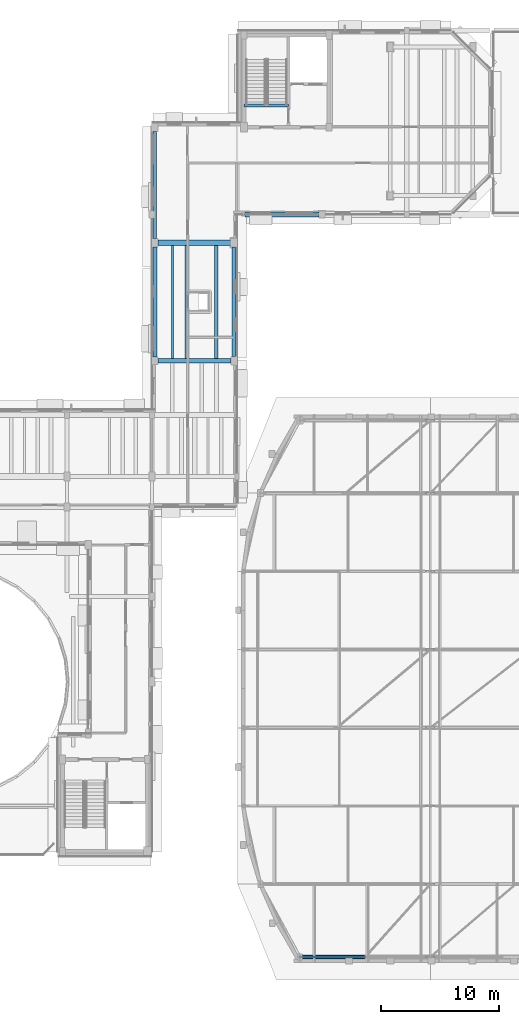
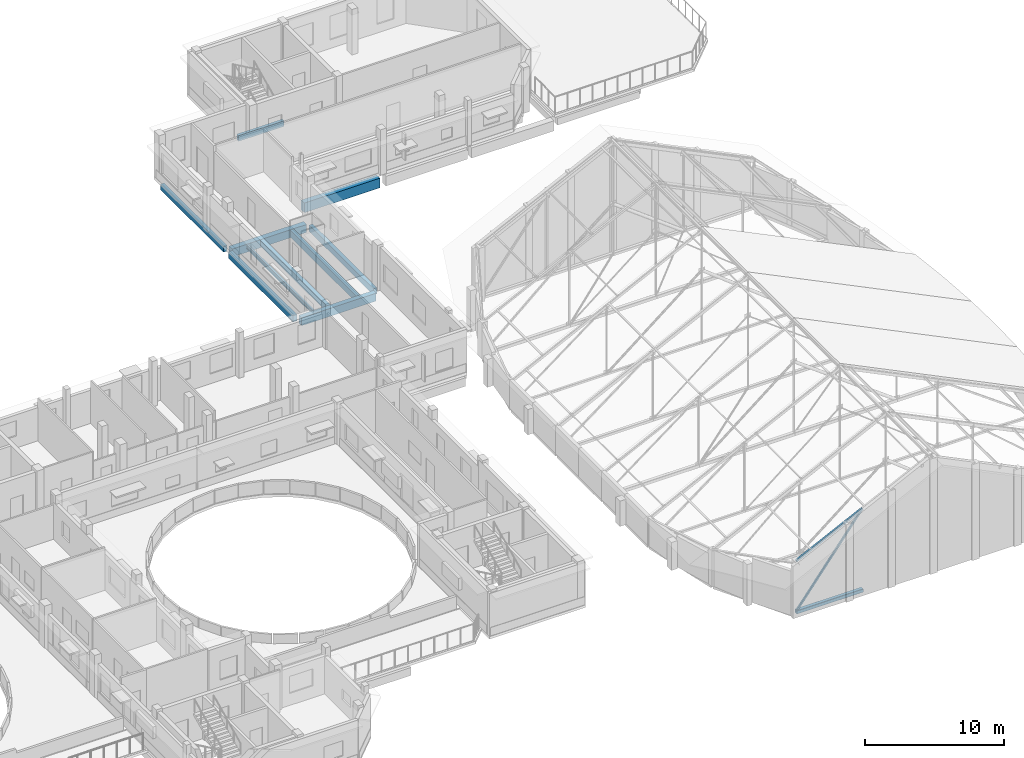
# One storey, part 27 of 78: 10 beams, 3 members.
"""IFC4 building model written with IfcOpenShell, lengths in metres."""

from ifc_helpers import new_model, si_unit, direction, frame, origin, origin_2d, place, context, subcontext, project, spatial, rectangle, hollow_rectangle, i_section, extrude, material, material_profile, profile_set, type_object, element, save


model = new_model("IFC4")

# Units and contexts
model_context = context("Model", 3, precision=1e-05, world=origin(), true_north=direction((0.0, 1.0)))
body_context = subcontext(model_context, "Body", "Model", "MODEL_VIEW")
ifc_project = project(units=[si_unit("LENGTHUNIT", "METRE"), si_unit("AREAUNIT", "SQUARE_METRE"), si_unit("VOLUMEUNIT", "CUBIC_METRE"), si_unit("PLANEANGLEUNIT", "RADIAN"), si_unit("MASSUNIT", "GRAM", prefix="KILO")], contexts=[model_context])

# Site, building, storey
site_placement = place(None, origin())
site = spatial("IfcSite", under=ifc_project, at=site_placement, CompositionType="ELEMENT")
building_placement = place(site_placement, origin())
building = spatial("IfcBuilding", under=site, at=building_placement, Name="Kelanivale Promenade Academy", CompositionType="ELEMENT")
storey_placement = place(building_placement, frame((0.0, 0.0, 16.199951171875)))
storey = spatial("IfcBuildingStorey", under=building, at=storey_placement, Name="L04", CompositionType="ELEMENT", Elevation=16.199951171875)

# Beams
ifc_material_1 = material(Name="Concrete C35/45", Category="concrete")
ifc_material_profile_1 = material_profile(ifc_material_1, rectangle(XDim=0.39990234375, YDim=0.699951171875, at=origin_2d()), Name="RC-BM 400x700")
ifc_profile_set_1 = profile_set([ifc_material_profile_1], Name="Concrete C35/45")
beam_type_1 = type_object("IfcBeamType", Name="BM-02 RC-BM 400x700", PredefinedType="BEAM", material=ifc_profile_set_1)
beam_1_placement = place(storey_placement, frame((116.094970703125, 84.0, -0.6298828125), z_axis=(1.0, 0.0, 0.0), x_axis=(0.0, 1.0, 0.0)))
element("IfcBeam", 1, at=beam_1_placement, inside=storey, type_object=beam_type_1, Name="L04 girder BM-02", PredefinedType="BEAM", context=body_context, shape_type="SweptSolid", body=[
    extrude(rectangle(XDim=0.39990234375, YDim=0.699951171875, at=origin_2d()), origin(), (0.0, 0.0, 1.0), 6.2099609375),
])
ifc_material_profile_2 = material_profile(ifc_material_1, rectangle(XDim=0.449951171875, YDim=0.699951171875, at=origin_2d()), Name="RC-BM 450x700")
ifc_profile_set_2 = profile_set([ifc_material_profile_2], Name="Concrete C35/45")
beam_type_2 = type_object("IfcBeamType", Name="BM-03 RC-BM 450x700", PredefinedType="BEAM", material=ifc_profile_set_2)
beam_2_placement = place(storey_placement, frame((116.094970703125, 94.0, -0.6298828125), z_axis=(1.0, 0.0, 0.0), x_axis=(0.0, 1.0, 0.0)))
element("IfcBeam", 2, at=beam_2_placement, inside=storey, type_object=beam_type_2, Name="L04 girder BM-03", PredefinedType="BEAM", context=body_context, shape_type="SweptSolid", body=[
    extrude(rectangle(XDim=0.449951171875, YDim=0.699951171875, at=origin_2d()), origin(), (0.0, 0.0, 1.0), 6.18505859375),
])
ifc_material_profile_3 = material_profile(ifc_material_1, rectangle(XDim=0.449951171875, YDim=0.85009765625, at=origin_2d()), Name="RC-BM 450x850")
ifc_profile_set_3 = profile_set([ifc_material_profile_3], Name="Concrete C35/45")
beam_type_3 = type_object("IfcBeamType", Name="BM-05 RC-BM 450x850", PredefinedType="BEAM", material=ifc_profile_set_3)
beam_3_placement = place(storey_placement, frame((123.471923828125, 96.39990234375, -0.704833984375), z_axis=(1.0, 0.0, 0.0), x_axis=(0.0, 1.0, 0.0)))
element("IfcBeam", 3, at=beam_3_placement, inside=storey, type_object=beam_type_3, Name="L04 girder BM-05", PredefinedType="BEAM", context=body_context, shape_type="SweptSolid", body=[
    extrude(rectangle(XDim=0.449951171875, YDim=0.85009765625, at=origin_2d()), origin(), (0.0, 0.0, 1.0), 6.282958984375),
])
ifc_material_profile_4 = material_profile(ifc_material_1, rectangle(XDim=0.300048828125, YDim=0.5, at=origin_2d()), Name="RC-BM 300x500")
ifc_profile_set_4 = profile_set([ifc_material_profile_4], Name="Concrete C35/45")
beam_type_4 = type_object("IfcBeamType", Name="JS-01 RC-BM 300x500", PredefinedType="JOIST", material=ifc_profile_set_4)
beam_4_placement = place(storey_placement, frame((115.85009765625, 94.3701171875, -0.530029296875), z_axis=(0.0, 1.0, 0.0), x_axis=(-1.0, 0.0, 0.0)))
element("IfcBeam", 4, at=beam_4_placement, inside=storey, type_object=beam_type_4, Name="L04 beam JS-01", PredefinedType="JOIST", context=body_context, shape_type="SweptSolid", body=[
    extrude(rectangle(XDim=0.300048828125, YDim=0.5, at=origin_2d()), origin(), (0.0, 0.0, 1.0), 9.059814453125),
])
ifc_material_profile_5 = material_profile(ifc_material_1, rectangle(XDim=0.300048828125, YDim=0.550048828125, at=origin_2d()), Name="RC-BM 300x550")
ifc_profile_set_5 = profile_set([ifc_material_profile_5], Name="Concrete C35/45")
beam_type_5 = type_object("IfcBeamType", Name="JS-02 RC-BM 300x550", PredefinedType="JOIST", material=ifc_profile_set_5)
beam_5_placement = place(storey_placement, frame((122.550048828125, 84.3701171875, -0.554931640625), z_axis=(0.0, 1.0, 0.0), x_axis=(-1.0, 0.0, 0.0)))
element("IfcBeam", 5, at=beam_5_placement, inside=storey, type_object=beam_type_5, Name="L04 beam JS-02", PredefinedType="JOIST", context=body_context, shape_type="SweptSolid", body=[
    extrude(rectangle(XDim=0.300048828125, YDim=0.550048828125, at=origin_2d()), origin(), (0.0, 0.0, 1.0), 9.259765625),
])
beam_6_placement = place(storey_placement, frame((118.569091796875, 84.199951171875, -0.554931640625), z_axis=(0.0, 1.0, 0.0), x_axis=(-1.0, 0.0, 0.0)))
element("IfcBeam", 6, at=beam_6_placement, inside=storey, type_object=beam_type_5, Name="L04 secondary sub-beam JS-02", PredefinedType="JOIST", context=body_context, shape_type="SweptSolid", body=[
    extrude(rectangle(XDim=0.300048828125, YDim=0.550048828125, at=origin_2d()), origin(), (0.0, 0.0, 1.0), 9.574951171875),
])
ifc_material_profile_6 = material_profile(ifc_material_1, rectangle(XDim=0.300048828125, YDim=0.60009765625, at=origin_2d()), Name="RC-BM 300x600")
ifc_profile_set_6 = profile_set([ifc_material_profile_6], Name="Concrete C35/45")
beam_type_6 = type_object("IfcBeamType", Name="JS-03 RC-BM 300x600", PredefinedType="JOIST", material=ifc_profile_set_6)
beam_7_placement = place(storey_placement, frame((121.04296875, 84.199951171875, -0.579833984375), z_axis=(0.0, 1.0, 0.0), x_axis=(-1.0, 0.0, 0.0)))
element("IfcBeam", 7, at=beam_7_placement, inside=storey, type_object=beam_type_6, Name="L04 secondary sub-beam JS-03", PredefinedType="JOIST", context=body_context, shape_type="SweptSolid", body=[
    extrude(rectangle(XDim=0.300048828125, YDim=0.60009765625, at=origin_2d()), origin(), (0.0, 0.0, 1.0), 9.574951171875),
])
ifc_material_profile_7 = material_profile(ifc_material_1, rectangle(XDim=0.35009765625, YDim=0.550048828125, at=origin_2d()), Name="RC-BM 350x550")
ifc_profile_set_7 = profile_set([ifc_material_profile_7], Name="Concrete C35/45")
beam_type_7 = type_object("IfcBeamType", Name="JS-06 RC-BM 350x550", PredefinedType="JOIST", material=ifc_profile_set_7)
beam_8_placement = place(storey_placement, frame((115.85009765625, 84.320068359375, -0.554931640625), z_axis=(0.0, 1.0, 0.0), x_axis=(-1.0, 0.0, 0.0)))
element("IfcBeam", 8, at=beam_8_placement, inside=storey, type_object=beam_type_7, Name="L04 beam JS-06", PredefinedType="JOIST", context=body_context, shape_type="SweptSolid", body=[
    extrude(rectangle(XDim=0.35009765625, YDim=0.550048828125, at=origin_2d()), origin(), (0.0, 0.0, 1.0), 9.309814453125),
])
ifc_material_profile_8 = material_profile(ifc_material_1, rectangle(XDim=0.25, YDim=0.5, at=origin_2d()), Name="RC-BM 250x500")
ifc_profile_set_8 = profile_set([ifc_material_profile_8], Name="Concrete C35/45")
beam_type_8 = type_object("IfcBeamType", Name="LN-02 RC-BM 250x500", PredefinedType="LINTEL", material=ifc_profile_set_8)
beam_9_placement = place(storey_placement, frame((123.39990234375, 105.655029296875, -0.25), z_axis=(1.0, 0.0, 0.0), x_axis=(0.0, 1.0, 0.0)))
element("IfcBeam", 9, at=beam_9_placement, inside=storey, type_object=beam_type_8, Name="CORE-5 stair arrival trimmer beam L04", PredefinedType="LINTEL", context=body_context, shape_type="SweptSolid", body=[
    extrude(rectangle(XDim=0.25, YDim=0.5, at=origin_2d()), origin(), (0.0, 0.0, 1.0), 3.775146484375),
])
ifc_material_2 = material(Name="Steel S355", Category="steel")
ifc_material_profile_9 = material_profile(ifc_material_2, i_section(OverallWidth=0.17138671875, OverallDepth=0.35498046875, WebThickness=0.00732421875, FlangeThickness=0.011474609375, FilletRadius=0.01025390625, at=origin_2d()), Name="UB 356x171x51")
ifc_profile_set_9 = profile_set([ifc_material_profile_9], Name="Steel S355")
beam_type_9 = type_object("IfcBeamType", Name="SB-04 UB 356x171x51", PredefinedType="BEAM", material=ifc_profile_set_9)
beam_10_placement = place(storey_placement, frame((117.33203125, 84.199951171875, -0.4580078125), z_axis=(0.0, 1.0, 0.0), x_axis=(-1.0, 0.0, 0.0)))
element("IfcBeam", 10, at=beam_10_placement, inside=storey, type_object=beam_type_9, Name="L04 secondary sub-beam SB-04", PredefinedType="BEAM", context=body_context, shape_type="SweptSolid", body=[
    extrude(i_section(OverallWidth=0.17138671875, OverallDepth=0.35498046875, WebThickness=0.00732421875, FlangeThickness=0.011474609375, FilletRadius=0.01025390625, at=origin_2d()), origin(), (0.0, 0.0, 1.0), 9.574951171875),
])

# Members
ifc_material_profile_10 = material_profile(ifc_material_2, hollow_rectangle(XDim=0.300048828125, YDim=0.300048828125, WallThickness=0.01611328125, InnerFilletRadius=0.01611328125, OuterFilletRadius=0.031982421875, at=origin_2d()), Name="SHS 300x300x16.0")
ifc_profile_set_10 = profile_set([ifc_material_profile_10], Name="Steel S355")
member_type_1 = type_object("IfcMemberType", Name="TC-01 SHS 300x300x16.0", PredefinedType="CHORD", material=ifc_profile_set_10)
member_1_placement = place(storey_placement, frame((128.14990234375, 33.449951171875, 0.199951171875), z_axis=(1.0, 0.0, 0.0), x_axis=(0.0, 1.0, 0.0)))
element("IfcMember", 11, at=member_1_placement, inside=storey, type_object=member_type_1, Name="ROOF TRUSS AH-TR1 bottom chord 1", PredefinedType="CHORD", context=body_context, shape_type="SweptSolid", body=[
    extrude(hollow_rectangle(XDim=0.300048828125, YDim=0.300048828125, WallThickness=0.01611328125, InnerFilletRadius=0.01611328125, OuterFilletRadius=0.031982421875, at=origin_2d()), origin(), (0.0, 0.0, 1.0), 5.525146484375),
])
ifc_material_profile_11 = material_profile(ifc_material_2, hollow_rectangle(XDim=0.179931640625, YDim=0.179931640625, WallThickness=0.010009765625, InnerFilletRadius=0.010009765625, OuterFilletRadius=0.02001953125, at=origin_2d()), Name="SHS 180x180x10.0")
ifc_profile_set_11 = profile_set([ifc_material_profile_11], Name="Steel S355")
member_type_2 = type_object("IfcMemberType", Name="TC-04 SHS 180x180x10.0", PredefinedType="CHORD", material=ifc_profile_set_11)
member_2_placement = place(storey_placement, frame((128.14990234375, 33.449951171875, 4.64501953125), z_axis=(0.898526005519, 0.0, 0.438920285936), x_axis=(0.0, 1.0, 0.0)))
element("IfcMember", 12, at=member_2_placement, inside=storey, type_object=member_type_2, Name="ROOF TRUSS AH-TR1 top chord 1", PredefinedType="CHORD", context=body_context, shape_type="SweptSolid", body=[
    extrude(hollow_rectangle(XDim=0.179931640625, YDim=0.179931640625, WallThickness=0.010009765625, InnerFilletRadius=0.010009765625, OuterFilletRadius=0.02001953125, at=origin_2d()), origin(), (0.0, 0.0, 1.0), 6.149169921875),
])
ifc_material_profile_12 = material_profile(ifc_material_2, hollow_rectangle(XDim=0.14990234375, YDim=0.14990234375, WallThickness=0.010009765625, InnerFilletRadius=0.010009765625, OuterFilletRadius=0.02001953125, at=origin_2d()), Name="SHS 150x150x10.0")
ifc_profile_set_12 = profile_set([ifc_material_profile_12], Name="Steel S355")
member_type_3 = type_object("IfcMemberType", Name="TD-01 SHS 150x150x10.0", PredefinedType="BRACE", material=ifc_profile_set_12)
member_3_placement = place(storey_placement, frame((128.14990234375, 33.449951171875, 0.199951171875), z_axis=(0.611776736333, 0.0, 0.791030482903), x_axis=(0.0, 1.0, 0.0)))
element("IfcMember", 13, at=member_3_placement, inside=storey, type_object=member_type_3, Name="ROOF TRUSS AH-TR1 web diagonal 1", PredefinedType="BRACE", context=body_context, shape_type="SweptSolid", body=[
    extrude(hollow_rectangle(XDim=0.14990234375, YDim=0.14990234375, WallThickness=0.010009765625, InnerFilletRadius=0.010009765625, OuterFilletRadius=0.02001953125, at=origin_2d()), origin(), (0.0, 0.0, 1.0), 9.03125),
])

save(model, "model.ifc")
